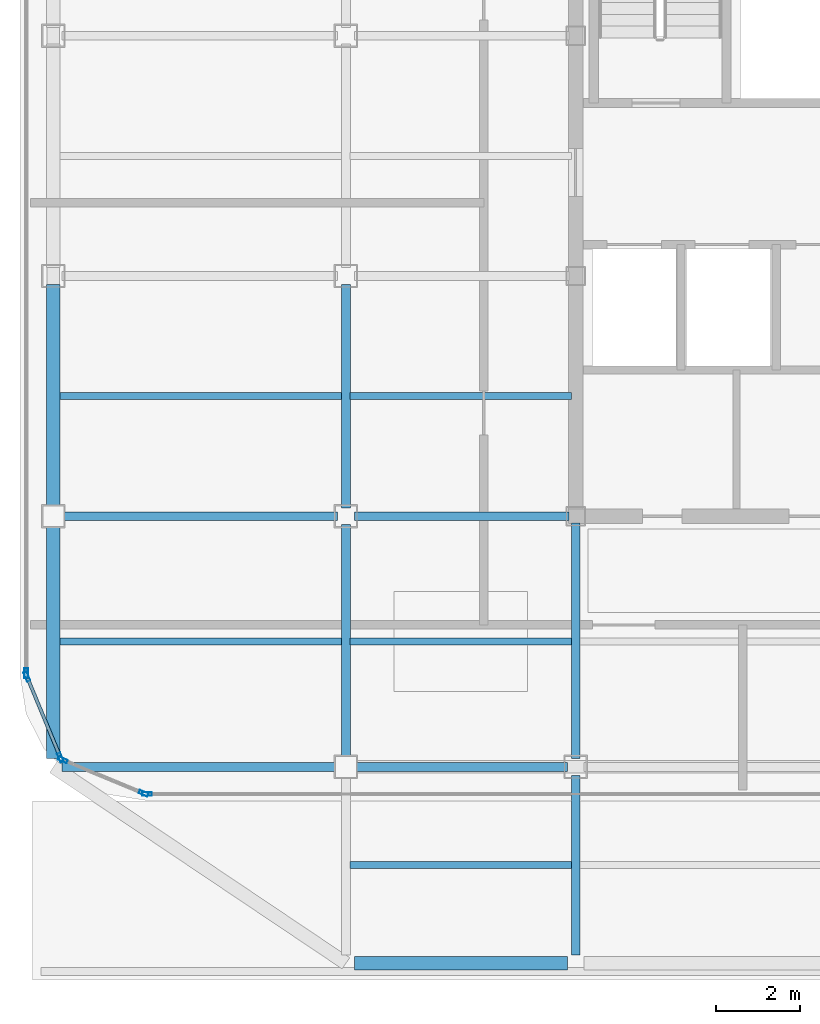
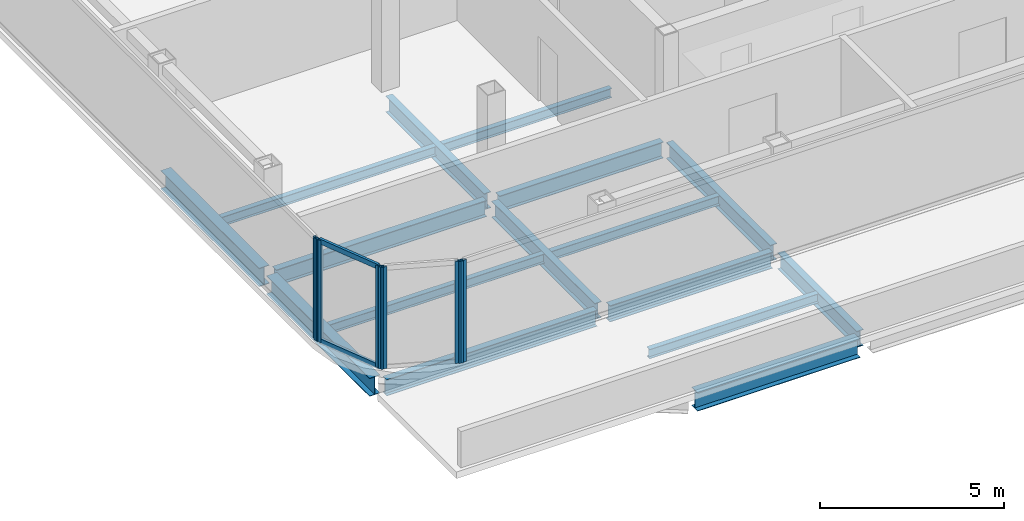
# One storey, part 2 of 15: 16 beams, 8 members, 4 elements without a shape of their own.
"""IFC4 building model written with IfcOpenShell, lengths in metres."""

from ifc_helpers import new_model, si_unit, direction, frame, origin, origin_2d, place, context, subcontext, project, spatial, hollow_rectangle, i_section, extrude, source, transform, mapped, material, layer, layer_set, material_profile, profile_set, type_object, element, aggregate, save


model = new_model("IFC4")

# Units and contexts
model_context = context("Model", 3, precision=1e-05, world=origin(), true_north=direction((0.0, 1.0)))
body_context = subcontext(model_context, "Body", "Model", "MODEL_VIEW")
ifc_project = project(units=[si_unit("LENGTHUNIT", "METRE"), si_unit("AREAUNIT", "SQUARE_METRE"), si_unit("VOLUMEUNIT", "CUBIC_METRE"), si_unit("PLANEANGLEUNIT", "RADIAN"), si_unit("MASSUNIT", "GRAM", prefix="KILO")], contexts=[model_context])

# Site, building, storey
site_placement = place(None, origin())
site = spatial("IfcSite", under=ifc_project, at=site_placement, CompositionType="ELEMENT")
building_placement = place(site_placement, origin())
building = spatial("IfcBuilding", under=site, at=building_placement, Name="Kolveth Station Tower", CompositionType="ELEMENT")
storey_placement = place(building_placement, frame((0.0, 0.0, 271.300048828125)))
storey = spatial("IfcBuildingStorey", under=building, at=storey_placement, Name="L78", CompositionType="ELEMENT", Elevation=271.300048828125)

# Beams
ifc_material_1 = material(Name="Steel S355", Category="steel")
ifc_material_profile_1 = material_profile(ifc_material_1, i_section(OverallWidth=0.323974609375, OverallDepth=0.611083984375, WebThickness=0.0126953125, FlangeThickness=0.01904296875, at=origin_2d()), Name="W610x155")
ifc_profile_set_1 = profile_set([ifc_material_profile_1], Name="Steel S355")
beam_type_1 = type_object("IfcBeamType", Name="Beam_SP2", PredefinedType="SPANDREL", material=ifc_profile_set_1)
shared_shape_1 = source(origin(), body_context, "Body", "SweptSolid", [
    extrude(i_section(OverallWidth=0.323974609375, OverallDepth=0.611083984375, WebThickness=0.0126953125, FlangeThickness=0.01904296875, at=origin_2d()), origin(), (0.0, 0.0, 1.0), 5.10009765625),
])
beam_1_placement = place(storey_placement, frame((13.199951171875, 0.800048828125, -0.525634765625), z_axis=(1.0, 0.0, 0.0), x_axis=(0.0, 1.0, 0.0)))
element("IfcBeam", 1, at=beam_1_placement, inside=storey, type_object=beam_type_1, Name="L78 Perimeter Spandrel BM-L78-PS-1", PredefinedType="SPANDREL", context=body_context, shape_type="MappedRepresentation", body=[
    mapped(shared_shape_1, transform((0.0, 0.0, 0.0), x_axis=(1.0, 0.0, 0.0), y_axis=(0.0, 1.0, 0.0), z_axis=(0.0, 0.0, 1.0), scale=1.0)),
])
shared_shape_2 = source(origin(), body_context, "Body", "SweptSolid", [
    extrude(i_section(OverallWidth=0.323974609375, OverallDepth=0.611083984375, WebThickness=0.0126953125, FlangeThickness=0.01904296875, at=origin_2d()), origin(), (0.0, 0.0, 1.0), 5.60009765625),
])
beam_2_placement = place(storey_placement, frame((6.0, 5.699951171875, -0.525634765625), z_axis=(0.0, 1.0, 0.0), x_axis=(-1.0, 0.0, 0.0)))
element("IfcBeam", 2, at=beam_2_placement, inside=storey, type_object=beam_type_1, Name="L78 Perimeter Spandrel BM-L78-PW-1", PredefinedType="SPANDREL", context=body_context, shape_type="MappedRepresentation", body=[
    mapped(shared_shape_2, transform((0.0, 0.0, 0.0), x_axis=(1.0, 0.0, 0.0), y_axis=(0.0, 1.0, 0.0), z_axis=(0.0, 0.0, 1.0), scale=1.0)),
])
shared_shape_3 = source(origin(), body_context, "Body", "SweptSolid", [
    extrude(i_section(OverallWidth=0.323974609375, OverallDepth=0.611083984375, WebThickness=0.0126953125, FlangeThickness=0.01904296875, at=origin_2d()), origin(), (0.0, 0.0, 1.0), 5.35009765625),
])
beam_3_placement = place(storey_placement, frame((6.0, 11.699951171875, -0.525634765625), z_axis=(0.0, 1.0, 0.0), x_axis=(-1.0, 0.0, 0.0)))
element("IfcBeam", 3, at=beam_3_placement, inside=storey, type_object=beam_type_1, Name="L78 Perimeter Spandrel BM-L78-PW-2", PredefinedType="SPANDREL", context=body_context, shape_type="MappedRepresentation", body=[
    mapped(shared_shape_3, transform((0.0, 0.0, 0.0), x_axis=(1.0, 0.0, 0.0), y_axis=(0.0, 1.0, 0.0), z_axis=(0.0, 0.0, 1.0), scale=1.0)),
])
ifc_material_profile_2 = material_profile(ifc_material_1, i_section(OverallWidth=0.2099609375, OverallDepth=0.537109375, WebThickness=0.010986328125, FlangeThickness=0.017333984375, at=origin_2d()), Name="W530x101")
ifc_profile_set_2 = profile_set([ifc_material_profile_2], Name="Steel S355")
beam_type_2 = type_object("IfcBeamType", Name="Beam_B6", PredefinedType="BEAM", material=ifc_profile_set_2)
shared_shape_4 = source(origin(), body_context, "Body", "SweptSolid", [
    extrude(i_section(OverallWidth=0.2099609375, OverallDepth=0.537109375, WebThickness=0.010986328125, FlangeThickness=0.017333984375, at=origin_2d()), origin(), (0.0, 0.0, 1.0), 6.60009765625),
])
for number, where, z_axis, x_axis, name in (
    (4, (6.199951171875, 5.5, -0.488525390625), (1.0, 0.0, 0.0), (0.0, 1.0, 0.0), "L78 Primary Girder BM-L78-GY55-1"),
    (5, (6.199951171875, 11.5, -0.488525390625), (1.0, 0.0, 0.0), (0.0, 1.0, 0.0), "L78 Primary Girder BM-L78-GY115-1"),
):
    element("IfcBeam", number, at=place(storey_placement, frame(where, z_axis=z_axis, x_axis=x_axis)), inside=storey, type_object=beam_type_2, Name=name, PredefinedType="BEAM", context=body_context, shape_type="MappedRepresentation", body=[
        mapped(shared_shape_4, transform((0.0, 0.0, 0.0), x_axis=(1.0, 0.0, 0.0), y_axis=(0.0, 1.0, 0.0), z_axis=(0.0, 0.0, 1.0), scale=1.0)),
    ])
shared_shape_5 = source(origin(), body_context, "Body", "SweptSolid", [
    extrude(i_section(OverallWidth=0.2099609375, OverallDepth=0.537109375, WebThickness=0.010986328125, FlangeThickness=0.017333984375, at=origin_2d()), origin(), (0.0, 0.0, 1.0), 5.10009765625),
])
beam_4_placement = place(storey_placement, frame((13.199951171875, 5.5, -0.488525390625), z_axis=(1.0, 0.0, 0.0), x_axis=(0.0, 1.0, 0.0)))
element("IfcBeam", 6, at=beam_4_placement, inside=storey, type_object=beam_type_2, Name="L78 Primary Girder BM-L78-GY55-2", PredefinedType="BEAM", context=body_context, shape_type="MappedRepresentation", body=[
    mapped(shared_shape_5, transform((0.0, 0.0, 0.0), x_axis=(1.0, 0.0, 0.0), y_axis=(0.0, 1.0, 0.0), z_axis=(0.0, 0.0, 1.0), scale=1.0)),
])
shared_shape_6 = source(origin(), body_context, "Body", "SweptSolid", [
    extrude(i_section(OverallWidth=0.2099609375, OverallDepth=0.537109375, WebThickness=0.010986328125, FlangeThickness=0.017333984375, at=origin_2d()), origin(), (0.0, 0.0, 1.0), 5.14013671875),
])
beam_5_placement = place(storey_placement, frame((13.199951171875, 11.5, -0.488525390625), z_axis=(1.0, 0.0, 0.0), x_axis=(0.0, 1.0, 0.0)))
element("IfcBeam", 7, at=beam_5_placement, inside=storey, type_object=beam_type_2, Name="L78 Primary Girder BM-L78-GY115-2", PredefinedType="BEAM", context=body_context, shape_type="MappedRepresentation", body=[
    mapped(shared_shape_6, transform((0.0, 0.0, 0.0), x_axis=(1.0, 0.0, 0.0), y_axis=(0.0, 1.0, 0.0), z_axis=(0.0, 0.0, 1.0), scale=1.0)),
])
shared_shape_7 = source(origin(), body_context, "Body", "SweptSolid", [
    extrude(i_section(OverallWidth=0.2099609375, OverallDepth=0.537109375, WebThickness=0.010986328125, FlangeThickness=0.017333984375, at=origin_2d()), origin(), (0.0, 0.0, 1.0), 4.300048828125),
])
beam_6_placement = place(storey_placement, frame((18.5, 1.0, -0.488525390625), z_axis=(0.0, 1.0, 0.0), x_axis=(-1.0, 0.0, 0.0)))
element("IfcBeam", 8, at=beam_6_placement, inside=storey, type_object=beam_type_2, Name="L78 Primary Girder BM-L78-GX185-1", PredefinedType="BEAM", context=body_context, shape_type="MappedRepresentation", body=[
    mapped(shared_shape_7, transform((0.0, 0.0, 0.0), x_axis=(1.0, 0.0, 0.0), y_axis=(0.0, 1.0, 0.0), z_axis=(0.0, 0.0, 1.0), scale=1.0)),
])
shared_shape_8 = source(origin(), body_context, "Body", "SweptSolid", [
    extrude(i_section(OverallWidth=0.2099609375, OverallDepth=0.537109375, WebThickness=0.010986328125, FlangeThickness=0.017333984375, at=origin_2d()), origin(), (0.0, 0.0, 1.0), 5.60009765625),
])
beam_7_placement = place(storey_placement, frame((13.0, 5.699951171875, -0.488525390625), z_axis=(0.0, 1.0, 0.0), x_axis=(-1.0, 0.0, 0.0)))
element("IfcBeam", 9, at=beam_7_placement, inside=storey, type_object=beam_type_2, Name="L78 Primary Girder BM-L78-GX130-2", PredefinedType="BEAM", context=body_context, shape_type="MappedRepresentation", body=[
    mapped(shared_shape_8, transform((0.0, 0.0, 0.0), x_axis=(1.0, 0.0, 0.0), y_axis=(0.0, 1.0, 0.0), z_axis=(0.0, 0.0, 1.0), scale=1.0)),
])
shared_shape_9 = source(origin(), body_context, "Body", "SweptSolid", [
    extrude(i_section(OverallWidth=0.2099609375, OverallDepth=0.537109375, WebThickness=0.010986328125, FlangeThickness=0.017333984375, at=origin_2d()), origin(), (0.0, 0.0, 1.0), 5.35009765625),
])
beam_8_placement = place(storey_placement, frame((13.0, 11.699951171875, -0.488525390625), z_axis=(0.0, 1.0, 0.0), x_axis=(-1.0, 0.0, 0.0)))
element("IfcBeam", 10, at=beam_8_placement, inside=storey, type_object=beam_type_2, Name="L78 Primary Girder BM-L78-GX130-3", PredefinedType="BEAM", context=body_context, shape_type="MappedRepresentation", body=[
    mapped(shared_shape_9, transform((0.0, 0.0, 0.0), x_axis=(1.0, 0.0, 0.0), y_axis=(0.0, 1.0, 0.0), z_axis=(0.0, 0.0, 1.0), scale=1.0)),
])
shared_shape_10 = source(origin(), body_context, "Body", "SweptSolid", [
    extrude(i_section(OverallWidth=0.2099609375, OverallDepth=0.537109375, WebThickness=0.010986328125, FlangeThickness=0.017333984375, at=origin_2d()), origin(), (0.0, 0.0, 1.0), 5.64013671875),
])
beam_9_placement = place(storey_placement, frame((18.5, 5.699951171875, -0.488525390625), z_axis=(0.0, 1.0, 0.0), x_axis=(-1.0, 0.0, 0.0)))
element("IfcBeam", 11, at=beam_9_placement, inside=storey, type_object=beam_type_2, Name="L78 Primary Girder BM-L78-GX185-2", PredefinedType="BEAM", context=body_context, shape_type="MappedRepresentation", body=[
    mapped(shared_shape_10, transform((0.0, 0.0, 0.0), x_axis=(1.0, 0.0, 0.0), y_axis=(0.0, 1.0, 0.0), z_axis=(0.0, 0.0, 1.0), scale=1.0)),
])
ifc_material_profile_3 = material_profile(ifc_material_1, i_section(OverallWidth=0.1650390625, OverallDepth=0.31005859375, WebThickness=0.005859375, FlangeThickness=0.009765625, at=origin_2d()), Name="W310x39")
ifc_profile_set_3 = profile_set([ifc_material_profile_3], Name="Steel S355")
beam_type_3 = type_object("IfcBeamType", Name="Beam_J3", PredefinedType="JOIST", material=ifc_profile_set_3)
shared_shape_11 = source(origin(), body_context, "Body", "SweptSolid", [
    extrude(i_section(OverallWidth=0.1650390625, OverallDepth=0.31005859375, WebThickness=0.005859375, FlangeThickness=0.009765625, at=origin_2d()), origin(), (0.0, 0.0, 1.0), 6.737060546875),
])
for number, where, z_axis, x_axis, name in (
    (12, (6.159912109375, 8.5, -0.375), (1.0, 0.0, 0.0), (0.0, 1.0, 0.0), "L78 Secondary Joist JST-L78-1-2"),
    (13, (6.159912109375, 14.375, -0.375), (1.0, 0.0, 0.0), (0.0, 1.0, 0.0), "L78 Secondary Joist JST-L78-1-3"),
):
    element("IfcBeam", number, at=place(storey_placement, frame(where, z_axis=z_axis, x_axis=x_axis)), inside=storey, type_object=beam_type_3, Name=name, PredefinedType="JOIST", context=body_context, shape_type="MappedRepresentation", body=[
        mapped(shared_shape_11, transform((0.0, 0.0, 0.0), x_axis=(1.0, 0.0, 0.0), y_axis=(0.0, 1.0, 0.0), z_axis=(0.0, 0.0, 1.0), scale=1.0)),
    ])
shared_shape_12 = source(origin(), body_context, "Body", "SweptSolid", [
    extrude(i_section(OverallWidth=0.1650390625, OverallDepth=0.31005859375, WebThickness=0.005859375, FlangeThickness=0.009765625, at=origin_2d()), origin(), (0.0, 0.0, 1.0), 5.2939453125),
])
for number, where, z_axis, x_axis, name in (
    (14, (13.10302734375, 3.14990234375, -0.375), (1.0, 0.0, 0.0), (0.0, 1.0, 0.0), "L78 Secondary Joist JST-L78-2-1"),
    (15, (13.10302734375, 8.5, -0.375), (1.0, 0.0, 0.0), (0.0, 1.0, 0.0), "L78 Secondary Joist JST-L78-2-2"),
    (16, (13.10302734375, 14.375, -0.375), (1.0, 0.0, 0.0), (0.0, 1.0, 0.0), "L78 Secondary Joist JST-L78-2-3"),
):
    element("IfcBeam", number, at=place(storey_placement, frame(where, z_axis=z_axis, x_axis=x_axis)), inside=storey, type_object=beam_type_3, Name=name, PredefinedType="JOIST", context=body_context, shape_type="MappedRepresentation", body=[
        mapped(shared_shape_12, transform((0.0, 0.0, 0.0), x_axis=(1.0, 0.0, 0.0), y_axis=(0.0, 1.0, 0.0), z_axis=(0.0, 0.0, 1.0), scale=1.0)),
    ])

# Curtain wall, member
ifc_material_2 = material(Name="Black anodized aluminium 6063-T6 and dark crown glass", Category="aluminium")
ifc_layer = layer(ifc_material_2, 0.169921875)
ifc_layer_set = layer_set([ifc_layer], Name="Black anodized aluminium 6063-T6 and dark crown glass")
curtain_wall_type = type_object("IfcCurtainWallType", Name="CurtainWall_CW-CR", PredefinedType="NOTDEFINED", material=ifc_layer_set)
curtain_wall_1_placement = place(storey_placement, origin())
curtain_wall_1 = element("IfcCurtainWall", 17, at=curtain_wall_1_placement, inside=storey, type_object=curtain_wall_type, Name="L78 Stepped Crown Curtain Wall 9", PredefinedType="NOTDEFINED")
ifc_material_3 = material(Name="Black anodized aluminium 6063-T6", Category="aluminium")
ifc_material_profile_4 = material_profile(ifc_material_3, hollow_rectangle(XDim=0.0849609375, YDim=0.22998046875, WallThickness=0.0048828125, at=origin_2d()), Name="ALU-85x230x5")
ifc_profile_set_4 = profile_set([ifc_material_profile_4], Name="Black anodized aluminium 6063-T6")
member_type_1 = type_object("IfcMemberType", Name="Mullion_ML-CR", PredefinedType="MULLION", material=ifc_profile_set_4)
shared_shape_13 = source(origin(), body_context, "Body", "SweptSolid", [
    extrude(hollow_rectangle(XDim=0.0849609375, YDim=0.22998046875, WallThickness=0.0048828125, at=origin_2d()), origin(), (0.0, 0.0, 1.0), 3.3798828125),
])
member_1_placement = place(storey_placement, frame((5.35009765625, 7.742431640625, 0.0), z_axis=(0.0, 0.0, 1.0), x_axis=(1.0, 0.0, 0.0)))
member_1 = element("IfcMember", 18, at=member_1_placement, type_object=member_type_1, Name="CW-CR mullion 2", PredefinedType="MULLION", context=body_context, shape_type="MappedRepresentation", body=[
    mapped(shared_shape_13, transform((0.0, 0.0, 0.0), x_axis=(1.0, 0.0, 0.0), y_axis=(0.0, 1.0, 0.0), z_axis=(0.0, 0.0, 1.0), scale=1.0)),
])
aggregate(curtain_wall_1, [member_1])

# Curtain wall, members
curtain_wall_2_placement = place(storey_placement, origin())
curtain_wall_2 = element("IfcCurtainWall", 19, at=curtain_wall_2_placement, inside=storey, type_object=curtain_wall_type, Name="L78 Stepped Crown Curtain Wall 10", PredefinedType="NOTDEFINED")
member_2_placement = place(storey_placement, frame((5.3662109375, 7.66064453125, 0.0), z_axis=(0.0, 0.0, 1.0), x_axis=(0.923890001426, 0.382658157192, 0.0)))
member_2 = element("IfcMember", 20, at=member_2_placement, type_object=member_type_1, Name="CW-CR mullion 1", PredefinedType="MULLION", context=body_context, shape_type="MappedRepresentation", body=[
    mapped(shared_shape_13, transform((0.0, 0.0, 0.0), x_axis=(1.0, 0.0, 0.0), y_axis=(0.0, 1.0, 0.0), z_axis=(0.0, 0.0, 1.0), scale=1.0)),
])
member_3_placement = place(storey_placement, frame((6.16845703125, 5.723876953125, 0.0), z_axis=(0.0, 0.0, 1.0), x_axis=(0.923890001426, 0.382658157192, 0.0)))
member_3 = element("IfcMember", 21, at=member_3_placement, type_object=member_type_1, Name="CW-CR mullion 2", PredefinedType="MULLION", context=body_context, shape_type="MappedRepresentation", body=[
    mapped(shared_shape_13, transform((0.0, 0.0, 0.0), x_axis=(1.0, 0.0, 0.0), y_axis=(0.0, 1.0, 0.0), z_axis=(0.0, 0.0, 1.0), scale=1.0)),
])

curtain_wall_3_placement = place(storey_placement, origin())
curtain_wall_3 = element("IfcCurtainWall", 22, at=curtain_wall_3_placement, inside=storey, type_object=curtain_wall_type, Name="L78 Stepped Crown Curtain Wall 11", PredefinedType="NOTDEFINED")
member_4_placement = place(storey_placement, frame((6.223876953125, 5.66845703125, 0.0), z_axis=(0.0, 0.0, 1.0), x_axis=(0.382658157192, 0.923890001426, 0.0)))
member_4 = element("IfcMember", 23, at=member_4_placement, type_object=member_type_1, Name="CW-CR mullion 1", PredefinedType="MULLION", context=body_context, shape_type="MappedRepresentation", body=[
    mapped(shared_shape_13, transform((0.0, 0.0, 0.0), x_axis=(1.0, 0.0, 0.0), y_axis=(0.0, 1.0, 0.0), z_axis=(0.0, 0.0, 1.0), scale=1.0)),
])
member_5_placement = place(storey_placement, frame((8.16064453125, 4.8662109375, 0.0), z_axis=(0.0, 0.0, 1.0), x_axis=(0.382658157192, 0.923890001426, 0.0)))
member_5 = element("IfcMember", 24, at=member_5_placement, type_object=member_type_1, Name="CW-CR mullion 2", PredefinedType="MULLION", context=body_context, shape_type="MappedRepresentation", body=[
    mapped(shared_shape_13, transform((0.0, 0.0, 0.0), x_axis=(1.0, 0.0, 0.0), y_axis=(0.0, 1.0, 0.0), z_axis=(0.0, 0.0, 1.0), scale=1.0)),
])
aggregate(curtain_wall_3, [member_4, member_5])

# Curtain wall, member
curtain_wall_4_placement = place(storey_placement, origin())
curtain_wall_4 = element("IfcCurtainWall", 25, at=curtain_wall_4_placement, inside=storey, type_object=curtain_wall_type, Name="L78 Stepped Crown Curtain Wall 12", PredefinedType="NOTDEFINED")
member_6_placement = place(storey_placement, frame((8.242431640625, 4.85009765625, 0.0), z_axis=(0.0, 0.0, 1.0), x_axis=(0.0, 1.0, 0.0)))
member_6 = element("IfcMember", 26, at=member_6_placement, type_object=member_type_1, Name="CW-CR mullion 1", PredefinedType="MULLION", context=body_context, shape_type="MappedRepresentation", body=[
    mapped(shared_shape_13, transform((0.0, 0.0, 0.0), x_axis=(1.0, 0.0, 0.0), y_axis=(0.0, 1.0, 0.0), z_axis=(0.0, 0.0, 1.0), scale=1.0)),
])
aggregate(curtain_wall_4, [member_6])

# Member
ifc_material_profile_5 = material_profile(ifc_material_3, hollow_rectangle(XDim=0.080078125, YDim=0.1650390625, WallThickness=0.0048828125, at=origin_2d()), Name="ALU-80x165x5")
ifc_profile_set_5 = profile_set([ifc_material_profile_5], Name="Black anodized aluminium 6063-T6")
member_type_2 = type_object("IfcMemberType", Name="Transom_TR-CR", PredefinedType="USERDEFINED", material=ifc_profile_set_5)
shared_shape_14 = source(origin(), body_context, "Body", "SweptSolid", [
    extrude(hollow_rectangle(XDim=0.080078125, YDim=0.1650390625, WallThickness=0.0048828125, at=origin_2d()), origin(), (0.0, 0.0, 1.0), 2.011474609375),
])
member_7_placement = place(storey_placement, frame((5.382568359375, 7.62158203125, 0.0400390625), z_axis=(0.382580487431, -0.92392216698, 0.0), x_axis=(0.92392216698, 0.382580487431, 0.0)))
member_7 = element("IfcMember", 27, at=member_7_placement, type_object=member_type_2, Name="CW-CR transom 1.1", ObjectType="TRANSOM", PredefinedType="USERDEFINED", context=body_context, shape_type="MappedRepresentation", body=[
    mapped(shared_shape_14, transform((0.0, 0.0, 0.0), x_axis=(1.0, 0.0, 0.0), y_axis=(0.0, 1.0, 0.0), z_axis=(0.0, 0.0, 1.0), scale=1.0)),
])

member_8_placement = place(storey_placement, frame((5.382568359375, 7.62158203125, 3.33984375), z_axis=(0.382580487431, -0.92392216698, 0.0), x_axis=(0.92392216698, 0.382580487431, 0.0)))
member_8 = element("IfcMember", 28, at=member_8_placement, type_object=member_type_2, Name="CW-CR transom 1.2", ObjectType="TRANSOM", PredefinedType="USERDEFINED", context=body_context, shape_type="MappedRepresentation", body=[
    mapped(shared_shape_14, transform((0.0, 0.0, 0.0), x_axis=(1.0, 0.0, 0.0), y_axis=(0.0, 1.0, 0.0), z_axis=(0.0, 0.0, 1.0), scale=1.0)),
])

aggregate(curtain_wall_2, [member_2, member_3, member_7, member_8])

save(model, "model.ifc")
